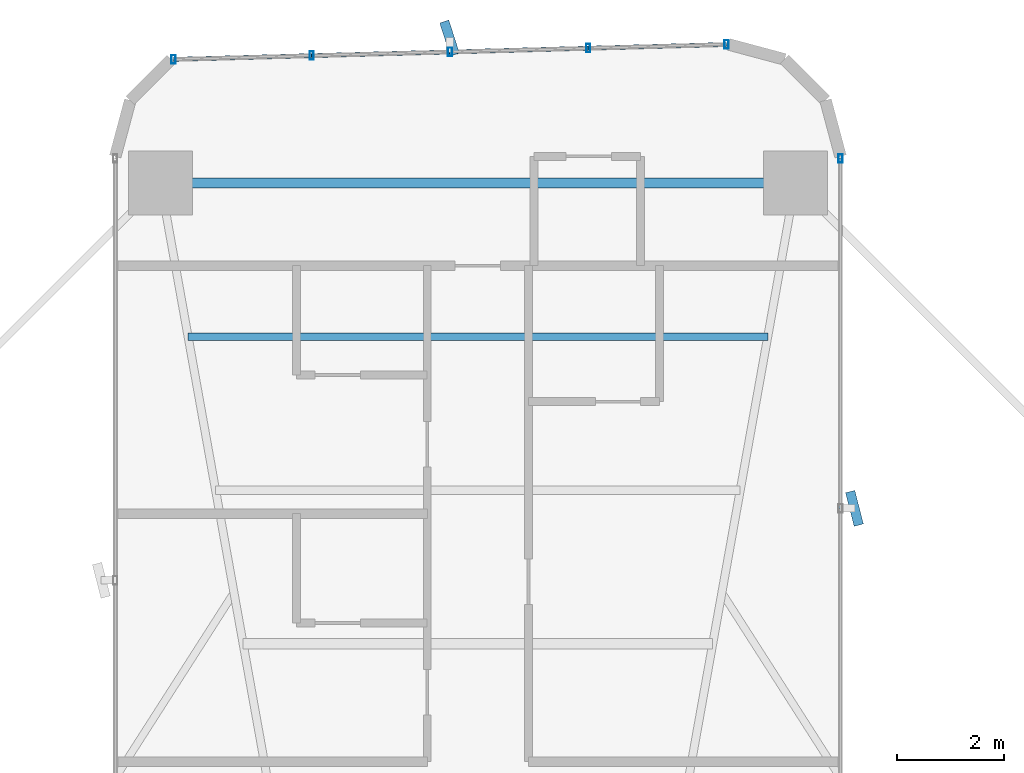
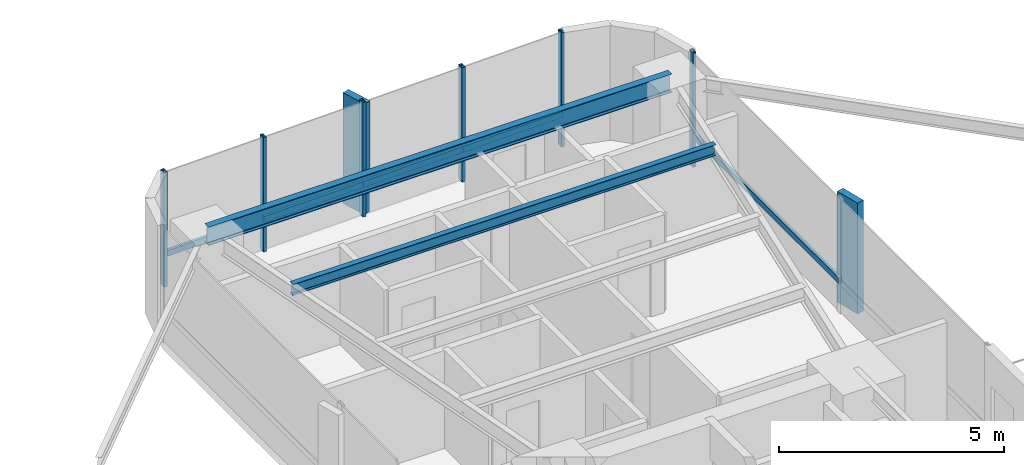
# One storey, part 19 of 25: 13 members, 2 beams, 2 elements without a shape of their own.
"""IFC4 building model written with IfcOpenShell, lengths in metres."""

import ifcopenshell
import ifcopenshell.guid

model = None  # the IFC model being written
_history = None  # IfcOwnerHistory: only IFC2X3 demands one
_inside = {}  # id of a spatial element -> (the spatial element, [elements in it])
_under = {}  # id of a project, library or spatial element -> (it, [spatial elements below it])
_declared = {}  # id of a project -> (the project, [libraries it declares])
_typed = {}  # id of a type object -> (the type object, [elements of that type])
_made_of = {}  # id of a material, layer set ... -> (it, [elements and type objects made of it])


def new_model(schema):
    """Start an empty IFC model of exactly this schema.

    Asked for "IFC4X3", IfcOpenShell would pick the latest addendum, in which some entities
    have other attributes; the version numbers below select the first issue.
    IFC2X3 requires an IfcOwnerHistory on every rooted entity: one is made here for all.
    """
    global model, _history
    if schema == "IFC4X3":
        model = ifcopenshell.file(schema_version=(4, 3, 0, 0))
    else:
        model = ifcopenshell.file(schema=schema)
    _inside.clear()
    _under.clear()
    _declared.clear()
    _typed.clear()
    _made_of.clear()
    _history = None
    if model.schema == "IFC2X3":
        org = make("IfcOrganization", Name="unknown")
        user = make(
            "IfcPersonAndOrganization",
            ThePerson=make("IfcPerson", FamilyName="unknown"),
            TheOrganization=org,
        )
        app = make(
            "IfcApplication",
            ApplicationDeveloper=org,
            Version="unknown",
            ApplicationFullName="unknown",
            ApplicationIdentifier="unknown",
        )
        _history = make(
            "IfcOwnerHistory",
            OwningUser=user,
            OwningApplication=app,
            ChangeAction="ADDED",
            CreationDate=0,
        )
    return model


def make(cls, **values):
    """One entity of the class cls with the attributes given. An attribute that is None is left unset."""
    return model.create_entity(
        cls, **{name: value for name, value in values.items() if value is not None}
    )


def rooted(cls, **values):
    """An entity with a GlobalId (a new one), such as an element, a storey or a relation."""
    return make(cls, GlobalId=ifcopenshell.guid.new(), OwnerHistory=_history, **values)


def si_unit(unit_type, name, prefix=None):
    """IfcSIUnit, for example si_unit("LENGTHUNIT", "METRE", prefix="MILLI")."""
    return make("IfcSIUnit", UnitType=unit_type, Prefix=prefix, Name=name)


def assignment(units):
    """IfcUnitAssignment: the units of a project."""
    return None if units is None else make("IfcUnitAssignment", Units=units)


def point(xyz):
    """IfcCartesianPoint."""
    return None if xyz is None else make("IfcCartesianPoint", Coordinates=xyz)


def direction(xyz):
    """IfcDirection."""
    return None if xyz is None else make("IfcDirection", DirectionRatios=xyz)


def frame(location, z_axis=None, x_axis=None):
    """IfcAxis2Placement3D, a coordinate frame: its origin and axes. An axis left out is left unset."""
    return make(
        "IfcAxis2Placement3D",
        Location=point(location),
        Axis=direction(z_axis),
        RefDirection=direction(x_axis),
    )


def frame_2d(location, x_axis=None):
    """IfcAxis2Placement2D, a coordinate frame in the plane: its origin and x axis."""
    return make(
        "IfcAxis2Placement2D", Location=point(location), RefDirection=direction(x_axis)
    )


def origin():
    """The frame at (0, 0, 0) with its axes left unset."""
    return frame((0.0, 0.0, 0.0))


def origin_2d():
    """The frame at (0, 0) in the plane with its x axis left unset."""
    return frame_2d((0.0, 0.0))


def place(relative_to, where):
    """IfcLocalPlacement: puts the frame where relative to a parent placement (None: the world)."""
    return make(
        "IfcLocalPlacement", PlacementRelTo=relative_to, RelativePlacement=where
    )


def context(
    kind, dimensions, precision=None, world=None, true_north=None, identifier=None
):
    """IfcGeometricRepresentationContext, for example the 3D "Model" context."""
    return make(
        "IfcGeometricRepresentationContext",
        ContextIdentifier=identifier,
        ContextType=kind,
        CoordinateSpaceDimension=dimensions,
        Precision=precision,
        WorldCoordinateSystem=world,
        TrueNorth=true_north,
    )


def subcontext(parent, identifier, kind, view, scale=None):
    """IfcGeometricRepresentationSubContext, for example "Body" below "Model"."""
    return make(
        "IfcGeometricRepresentationSubContext",
        ContextIdentifier=identifier,
        ContextType=kind,
        ParentContext=parent,
        TargetScale=scale,
        TargetView=view,
    )


def project(units=None, contexts=None):
    """IfcProject with its units and contexts."""
    return rooted(
        "IfcProject",
        Name="project",
        RepresentationContexts=contexts,
        UnitsInContext=assignment(units),
    )


def spatial(cls, under=None, at=None, **own):
    """A site, building, storey or space (cls), placed at a placement, below another one or the project."""
    s = rooted(cls, ObjectPlacement=at, **own)
    if under is not None:
        _under.setdefault(under.id(), (under, []))[1].append(s)
    return s


def profile(cls, at=None, kind="AREA", **sizes):
    """A parametric profile (cls). Its sizes go by their IFC names, for example OverallWidth=200.0."""
    return make(cls, ProfileType=kind, Position=at, **sizes)


def rectangle(**sizes):
    """IfcRectangleProfileDef."""
    return profile("IfcRectangleProfileDef", **sizes)


def hollow_rectangle(**sizes):
    """IfcRectangleHollowProfileDef."""
    return profile("IfcRectangleHollowProfileDef", **sizes)


def i_section(**sizes):
    """IfcIShapeProfileDef."""
    return profile("IfcIShapeProfileDef", **sizes)


def extrude(swept, where, along, depth):
    """IfcExtrudedAreaSolid: the profile swept, set in the frame where, extruded along a direction by depth."""
    return make(
        "IfcExtrudedAreaSolid",
        SweptArea=swept,
        Position=where,
        ExtrudedDirection=direction(along),
        Depth=depth,
    )


def shape(context_of_items, identifier, shape_type, items):
    """IfcShapeRepresentation: the items that make up one representation, for example the "Body"."""
    return make(
        "IfcShapeRepresentation",
        ContextOfItems=context_of_items,
        RepresentationIdentifier=identifier,
        RepresentationType=shape_type,
        Items=items,
    )


def source(mapping_origin, context_of_items, identifier, shape_type, items):
    """IfcRepresentationMap: a shape defined once, which mapped items show again and again."""
    return make(
        "IfcRepresentationMap",
        MappingOrigin=mapping_origin,
        MappedRepresentation=shape(context_of_items, identifier, shape_type, items),
    )


def transform(
    local_origin,
    x_axis=None,
    y_axis=None,
    z_axis=None,
    scale=None,
    scale2=None,
    scale3=None,
    uniform=True,
):
    """IfcCartesianTransformationOperator3D, or its non-uniform kind. x_axis, y_axis, z_axis: its Axis1, 2, 3."""
    if uniform:
        return make(
            "IfcCartesianTransformationOperator3D",
            Axis1=direction(x_axis),
            Axis2=direction(y_axis),
            LocalOrigin=point(local_origin),
            Scale=scale,
            Axis3=direction(z_axis),
        )
    return make(
        "IfcCartesianTransformationOperator3DnonUniform",
        Axis1=direction(x_axis),
        Axis2=direction(y_axis),
        LocalOrigin=point(local_origin),
        Scale=scale,
        Axis3=direction(z_axis),
        Scale2=scale2,
        Scale3=scale3,
    )


def mapped(mapping_source, mapping_target):
    """IfcMappedItem: shows the shape of a source again, moved by a transform."""
    return make(
        "IfcMappedItem", MappingSource=mapping_source, MappingTarget=mapping_target
    )


def material(Name=None, Category=None):
    """IfcMaterial."""
    return make("IfcMaterial", Name=Name, Category=Category)


def material_profile(
    of_material, cross_section, Name=None, Category=None, Priority=None
):
    """IfcMaterialProfile: a cross section and its material."""
    return make(
        "IfcMaterialProfile",
        Name=Name,
        Material=of_material,
        Profile=cross_section,
        Priority=Priority,
        Category=Category,
    )


def profile_set(profiles, Name=None, composite=None):
    """IfcMaterialProfileSet."""
    return make(
        "IfcMaterialProfileSet",
        Name=Name,
        MaterialProfiles=profiles,
        CompositeProfile=composite,
    )


def made_of(thing, what):
    """Note that an element or type object is made of a material, layer set ...; save() writes the relation."""
    if what is not None:
        _made_of.setdefault(what.id(), (what, []))[1].append(thing)
    return thing


def type_object(cls, material=None, **own):
    """A type object (cls), such as IfcWallType, which elements share."""
    return made_of(rooted(cls, **own), material)


def element(
    cls,
    number,
    at=None,
    inside=None,
    cuts=None,
    type_object=None,
    material=None,
    context=None,
    identifier="Body",
    shape_type=None,
    held_by="IfcProductDefinitionShape",
    body=None,
    shapes=None,
    **own,
):
    """One element of the class cls, such as IfcWall. Its Tag is "e" and its number.

    at: its placement. inside: the storey or other place that contains it. cuts: it is an
    opening in that element (IfcRelVoidsElement). A single representation is given by context,
    identifier, shape_type and body (its items); several are given by shapes. held_by: the class
    of the entity that holds the representations. save() writes the other relations.
    """
    e = rooted(cls, Tag="e%d" % number, ObjectPlacement=at, **own)
    if body is not None:
        shapes = [shape(context, identifier, shape_type, body)]
    if shapes is not None:
        e.Representation = make(held_by, Representations=shapes)
    if inside is not None:
        _inside.setdefault(inside.id(), (inside, []))[1].append(e)
    if cuts is not None:
        rooted(
            "IfcRelVoidsElement", RelatingBuildingElement=cuts, RelatedOpeningElement=e
        )
    if type_object is not None:
        _typed.setdefault(type_object.id(), (type_object, []))[1].append(e)
    return made_of(e, material)


def aggregate(whole, parts):
    """IfcRelAggregates: a whole, such as a stair, and the parts it consists of."""
    return rooted("IfcRelAggregates", RelatingObject=whole, RelatedObjects=parts)


def save(model, path):
    """Write the relations noted so far, then the file.

    IfcRelAggregates (storeys below a building ...), IfcRelContainedInSpatialStructure (elements
    in a storey), IfcRelDefinesByType, IfcRelAssociatesMaterial and IfcRelDeclares: one each for
    every whole, place, type object, material and project.
    """
    for whole, parts in _under.values():
        aggregate(whole, parts)
    for where, things in _inside.values():
        rooted(
            "IfcRelContainedInSpatialStructure",
            RelatedElements=things,
            RelatingStructure=where,
        )
    for kind, things in _typed.values():
        rooted("IfcRelDefinesByType", RelatedObjects=things, RelatingType=kind)
    for what, things in _made_of.values():
        rooted("IfcRelAssociatesMaterial", RelatedObjects=things, RelatingMaterial=what)
    for by, libraries in _declared.values():
        rooted("IfcRelDeclares", RelatingContext=by, RelatedDefinitions=libraries)
    model.write(path)


model = new_model("IFC4")

# Units and contexts
model_context = context("Model", 3, precision=1e-05, world=origin(), true_north=direction((0.0, 1.0)))
body_context = subcontext(model_context, "Body", "Model", "MODEL_VIEW")
ifc_project = project(units=[si_unit("LENGTHUNIT", "METRE"), si_unit("AREAUNIT", "SQUARE_METRE"), si_unit("VOLUMEUNIT", "CUBIC_METRE"), si_unit("PLANEANGLEUNIT", "RADIAN"), si_unit("MASSUNIT", "GRAM", prefix="KILO")], contexts=[model_context])

# Site, building, storey
site_placement = place(None, origin())
site = spatial("IfcSite", under=ifc_project, at=site_placement, CompositionType="ELEMENT")
building_placement = place(site_placement, origin())
building = spatial("IfcBuilding", under=site, at=building_placement, Name="Sahyath Konkavel Grand Hotel", CompositionType="ELEMENT")
storey_placement = place(building_placement, frame((0.0, 0.0, 54.39990234375)))
storey = spatial("IfcBuildingStorey", under=building, at=storey_placement, Name="L14", CompositionType="ELEMENT", Elevation=54.39990234375)

# Beams
ifc_material_1 = material(Name="Steel E350", Category="steel")
ifc_material_profile_1 = material_profile(ifc_material_1, i_section(OverallWidth=0.179931640625, OverallDepth=0.5, WebThickness=0.01025390625, FlangeThickness=0.01708984375, FilletRadius=0.01708984375, at=origin_2d()), Name="ISMB 500")
ifc_profile_set_1 = profile_set([ifc_material_profile_1], Name="Steel E350")
beam_type_1 = type_object("IfcBeamType", Name="BM-ISMB500", PredefinedType="BEAM", material=ifc_profile_set_1)
shared_shape_1 = source(origin(), body_context, "Body", "SweptSolid", [
    extrude(i_section(OverallWidth=0.179931640625, OverallDepth=0.5, WebThickness=0.01025390625, FlangeThickness=0.01708984375, FilletRadius=0.01708984375, at=origin_2d()), origin(), (0.0, 0.0, 1.0), 11.89990234375),
])
beam_1_placement = place(storey_placement, frame((5.949951171875, 22.199951171875, 2.860107421875), z_axis=(-1.0, 0.0, 0.0), x_axis=(0.0, -1.0, 0.0)))
element("IfcBeam", 1, at=beam_1_placement, inside=storey, type_object=beam_type_1, Name="L14 Wing Tip Edge Beam N", PredefinedType="BEAM", context=body_context, shape_type="MappedRepresentation", body=[
    mapped(shared_shape_1, transform((0.0, 0.0, 0.0), scale=1.0)),
])
ifc_material_profile_2 = material_profile(ifc_material_1, i_section(OverallWidth=0.139892578125, OverallDepth=0.300048828125, WebThickness=0.0078125, FlangeThickness=0.01318359375, FilletRadius=0.013916015625, at=origin_2d()), Name="ISMB 300")
ifc_profile_set_2 = profile_set([ifc_material_profile_2], Name="Steel E350")
beam_type_2 = type_object("IfcBeamType", Name="BM-ISMB300", PredefinedType="BEAM", material=ifc_profile_set_2)
shared_shape_2 = source(origin(), body_context, "Body", "SweptSolid", [
    extrude(i_section(OverallWidth=0.139892578125, OverallDepth=0.300048828125, WebThickness=0.0078125, FlangeThickness=0.01318359375, FilletRadius=0.013916015625, at=origin_2d()), origin(), (0.0, 0.0, 1.0), 10.8681640625),
])
beam_2_placement = place(storey_placement, frame((5.43408203125, 19.320068359375, 2.960205078125), z_axis=(-1.0, 0.0, 0.0), x_axis=(0.0, -1.0, 0.0)))
element("IfcBeam", 2, at=beam_2_placement, inside=storey, type_object=beam_type_2, Name="L14 Secondary Floor Beam N-3", PredefinedType="BEAM", context=body_context, shape_type="MappedRepresentation", body=[
    mapped(shared_shape_2, transform((0.0, 0.0, 0.0), scale=1.0)),
])

# Curtain wall, member
ifc_material_2 = material(Name="Anodised Bronze Aluminium & Low-E Glazing", Category="aluminium")
curtain_wall_type = type_object("IfcCurtainWallType", Name="CW-ZONE1", PredefinedType="NOTDEFINED", material=ifc_material_2)
curtain_wall_1_placement = place(storey_placement, origin())
curtain_wall_1 = element("IfcCurtainWall", 3, at=curtain_wall_1_placement, inside=storey, type_object=curtain_wall_type, Name="L14 Unitised Curtain Wall F8", PredefinedType="NOTDEFINED")
ifc_material_3 = material(Name="Warm Buff Sandstone Cladding on Concrete C50/60", Category="masonry")
ifc_material_profile_3 = material_profile(ifc_material_3, rectangle(XDim=0.179931640625, YDim=0.64990234375, at=origin_2d()), Name="FIN 180x650")
ifc_profile_set_3 = profile_set([ifc_material_profile_3], Name="Warm Buff Sandstone Cladding on Concrete C50/60")
member_type_1 = type_object("IfcMemberType", Name="FIN-SANDSTONE-650", PredefinedType="MULLION", material=ifc_profile_set_3)
shared_shape_3 = source(origin(), body_context, "Body", "SweptSolid", [
    extrude(rectangle(XDim=0.179931640625, YDim=0.64990234375, at=origin_2d()), origin(), (0.0, 0.0, 1.0), 3.010009765625),
])
member_1_placement = place(storey_placement, frame((7.06005859375, 16.10009765625, 0.050048828125), z_axis=(0.0, 0.0, 1.0), x_axis=(0.96862655095, 0.248520833726, 0.0)))
member_1 = element("IfcMember", 4, at=member_1_placement, type_object=member_type_1, Name="L14 Sandstone Vertical Solar Fin FIN F8-1", PredefinedType="MULLION", context=body_context, shape_type="MappedRepresentation", body=[
    mapped(shared_shape_3, transform((0.0, 0.0, 0.0), scale=1.0)),
])

# Curtain wall, members
curtain_wall_2_placement = place(storey_placement, origin())
curtain_wall_2 = element("IfcCurtainWall", 5, at=curtain_wall_2_placement, inside=storey, type_object=curtain_wall_type, Name="L14 Unitised Curtain Wall F12", PredefinedType="NOTDEFINED")
member_2_placement = place(storey_placement, frame((-0.531982421875, 24.919189453125, 0.050048828125), z_axis=(0.0, 0.0, 1.0), x_axis=(0.952022626946, 0.306027642189, 0.0)))
member_2 = element("IfcMember", 6, at=member_2_placement, type_object=member_type_1, Name="L14 Sandstone Vertical Solar Fin FIN F12-2", PredefinedType="MULLION", context=body_context, shape_type="MappedRepresentation", body=[
    mapped(shared_shape_3, transform((0.0, 0.0, 0.0), scale=1.0)),
])
ifc_material_4 = material(Name="Anodised Bronze Aluminium", Category="aluminium")
ifc_material_profile_4 = material_profile(ifc_material_4, hollow_rectangle(XDim=0.080078125, YDim=0.159912109375, WallThickness=0.006103515625, at=origin_2d()), Name="RHS 160x80x6")
ifc_profile_set_4 = profile_set([ifc_material_profile_4], Name="Anodised Bronze Aluminium")
member_type_2 = type_object("IfcMemberType", Name="CW-TRN-160", PredefinedType="USERDEFINED", material=ifc_profile_set_4)
shared_shape_4 = source(origin(), body_context, "Body", "SweptSolid", [
    extrude(hollow_rectangle(XDim=0.080078125, YDim=0.159912109375, WallThickness=0.006103515625, at=origin_2d()), origin(), (0.0, 0.0, 1.0), 2.593505859375),
])
member_3_placement = place(storey_placement, frame((4.659912109375, 24.798828125, 0.85009765625), z_axis=(-0.999637507825, -0.026923093252, 0.0), x_axis=(0.026923093252, -0.999637507825, 0.0)))
member_3 = element("IfcMember", 7, at=member_3_placement, type_object=member_type_2, Name="L14 Curtain Wall Transom F12-0-spandrel", ObjectType="TRANSOM", PredefinedType="USERDEFINED", context=body_context, shape_type="MappedRepresentation", body=[
    mapped(shared_shape_4, transform((0.0, 0.0, 0.0), scale=1.0)),
])
member_4_placement = place(storey_placement, frame((-0.52490234375, 24.6591796875, 0.85009765625), z_axis=(-0.999640036937, -0.02682902444, 0.0), x_axis=(0.02682902444, -0.999640036937, 0.0)))
member_4 = element("IfcMember", 8, at=member_4_placement, type_object=member_type_2, Name="L14 Curtain Wall Transom F12-2-spandrel", ObjectType="TRANSOM", PredefinedType="USERDEFINED", context=body_context, shape_type="MappedRepresentation", body=[
    mapped(shared_shape_4, transform((0.0, 0.0, 0.0), scale=1.0)),
])
member_5_placement = place(storey_placement, frame((-3.117431640625, 24.589599609375, 0.85009765625), z_axis=(-0.999637507825, -0.026923093252, 0.0), x_axis=(0.026923093252, -0.999637507825, 0.0)))
member_5 = element("IfcMember", 9, at=member_5_placement, type_object=member_type_2, Name="L14 Curtain Wall Transom F12-3-spandrel", ObjectType="TRANSOM", PredefinedType="USERDEFINED", context=body_context, shape_type="MappedRepresentation", body=[
    mapped(shared_shape_4, transform((0.0, 0.0, 0.0), scale=1.0)),
])
shared_shape_5 = source(origin(), body_context, "Body", "SweptSolid", [
    extrude(hollow_rectangle(XDim=0.080078125, YDim=0.159912109375, WallThickness=0.006103515625, at=origin_2d()), origin(), (0.0, 0.0, 1.0), 2.59326171875),
])
member_6_placement = place(storey_placement, frame((2.0673828125, 24.72900390625, 0.85009765625), z_axis=(-0.99963743958, -0.026925627022, 0.0), x_axis=(0.026925627022, -0.99963743958, 0.0)))
member_6 = element("IfcMember", 10, at=member_6_placement, type_object=member_type_2, Name="L14 Curtain Wall Transom F12-1-spandrel", ObjectType="TRANSOM", PredefinedType="USERDEFINED", context=body_context, shape_type="MappedRepresentation", body=[
    mapped(shared_shape_5, transform((0.0, 0.0, 0.0), scale=1.0)),
])

# Member
ifc_material_profile_5 = material_profile(ifc_material_4, hollow_rectangle(XDim=0.080078125, YDim=0.159912109375, WallThickness=0.006103515625, at=origin_2d()), Name="RHS 160x80x6")
ifc_profile_set_5 = profile_set([ifc_material_profile_5], Name="Anodised Bronze Aluminium")
member_type_3 = type_object("IfcMemberType", Name="CW-MUL-160", PredefinedType="MULLION", material=ifc_profile_set_5)
shared_shape_6 = source(origin(), body_context, "Body", "SweptSolid", [
    extrude(hollow_rectangle(XDim=0.080078125, YDim=0.159912109375, WallThickness=0.006103515625, at=origin_2d()), origin(), (0.0, 0.0, 1.0), 3.110107421875),
])
member_7_placement = place(storey_placement, frame((6.800048828125, 22.659912109375, 0.0), z_axis=(0.0, 0.0, 1.0), x_axis=(1.0, 0.0, 0.0)))
member_7 = element("IfcMember", 11, at=member_7_placement, type_object=member_type_3, Name="L14 Curtain Wall Mullion F8-2", PredefinedType="MULLION", context=body_context, shape_type="MappedRepresentation", body=[
    mapped(shared_shape_6, transform((0.0, 0.0, 0.0), scale=1.0)),
])

member_8_placement = place(storey_placement, frame((4.659912109375, 24.798828125, 0.0), z_axis=(0.0, 0.0, 1.0), x_axis=(1.0, 0.0, 0.0)))
member_8 = element("IfcMember", 12, at=member_8_placement, type_object=member_type_3, Name="L14 Curtain Wall Mullion F12-0", PredefinedType="MULLION", context=body_context, shape_type="MappedRepresentation", body=[
    mapped(shared_shape_6, transform((0.0, 0.0, 0.0), scale=1.0)),
])

member_9_placement = place(storey_placement, frame((2.0673828125, 24.72900390625, 0.0), z_axis=(0.0, 0.0, 1.0), x_axis=(1.0, 0.0, 0.0)))
member_9 = element("IfcMember", 13, at=member_9_placement, type_object=member_type_3, Name="L14 Curtain Wall Mullion F12-1", PredefinedType="MULLION", context=body_context, shape_type="MappedRepresentation", body=[
    mapped(shared_shape_6, transform((0.0, 0.0, 0.0), scale=1.0)),
])

member_10_placement = place(storey_placement, frame((-0.52490234375, 24.6591796875, 0.0), z_axis=(0.0, 0.0, 1.0), x_axis=(1.0, 0.0, 0.0)))
member_10 = element("IfcMember", 14, at=member_10_placement, type_object=member_type_3, Name="L14 Curtain Wall Mullion F12-2", PredefinedType="MULLION", context=body_context, shape_type="MappedRepresentation", body=[
    mapped(shared_shape_6, transform((0.0, 0.0, 0.0), scale=1.0)),
])

member_11_placement = place(storey_placement, frame((-3.117431640625, 24.589599609375, 0.0), z_axis=(0.0, 0.0, 1.0), x_axis=(1.0, 0.0, 0.0)))
member_11 = element("IfcMember", 15, at=member_11_placement, type_object=member_type_3, Name="L14 Curtain Wall Mullion F12-3", PredefinedType="MULLION", context=body_context, shape_type="MappedRepresentation", body=[
    mapped(shared_shape_6, transform((0.0, 0.0, 0.0), scale=1.0)),
])

member_12_placement = place(storey_placement, frame((-5.7099609375, 24.519775390625, 0.0), z_axis=(0.0, 0.0, 1.0), x_axis=(1.0, 0.0, 0.0)))
member_12 = element("IfcMember", 16, at=member_12_placement, type_object=member_type_3, Name="L14 Curtain Wall Mullion F12-4", PredefinedType="MULLION", context=body_context, shape_type="MappedRepresentation", body=[
    mapped(shared_shape_6, transform((0.0, 0.0, 0.0), scale=1.0)),
])

aggregate(curtain_wall_2, [member_8, member_9, member_10, member_2, member_11, member_12, member_3, member_6, member_4, member_5])

shared_shape_7 = source(origin(), body_context, "Body", "SweptSolid", [
    extrude(hollow_rectangle(XDim=0.080078125, YDim=0.159912109375, WallThickness=0.006103515625, at=origin_2d()), origin(), (0.0, 0.0, 1.0), 6.559814453125),
])
member_13_placement = place(storey_placement, frame((6.800048828125, 16.10009765625, 0.85009765625), z_axis=(0.0, 1.0, 0.0), x_axis=(-1.0, 0.0, 0.0)))
member_13 = element("IfcMember", 17, at=member_13_placement, type_object=member_type_2, Name="L14 Curtain Wall Transom F8-1-spandrel", ObjectType="TRANSOM", PredefinedType="USERDEFINED", context=body_context, shape_type="MappedRepresentation", body=[
    mapped(shared_shape_7, transform((0.0, 0.0, 0.0), scale=1.0)),
])

aggregate(curtain_wall_1, [member_1, member_7, member_13])

save(model, "model.ifc")
